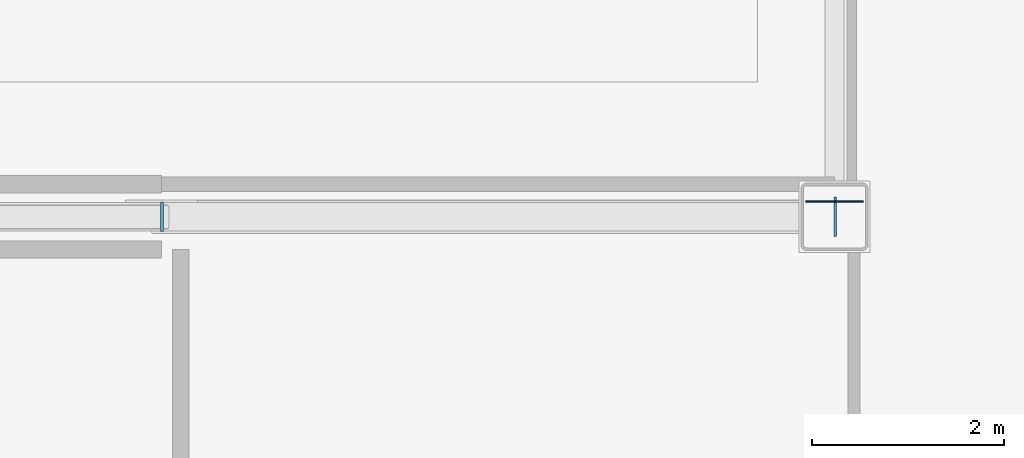
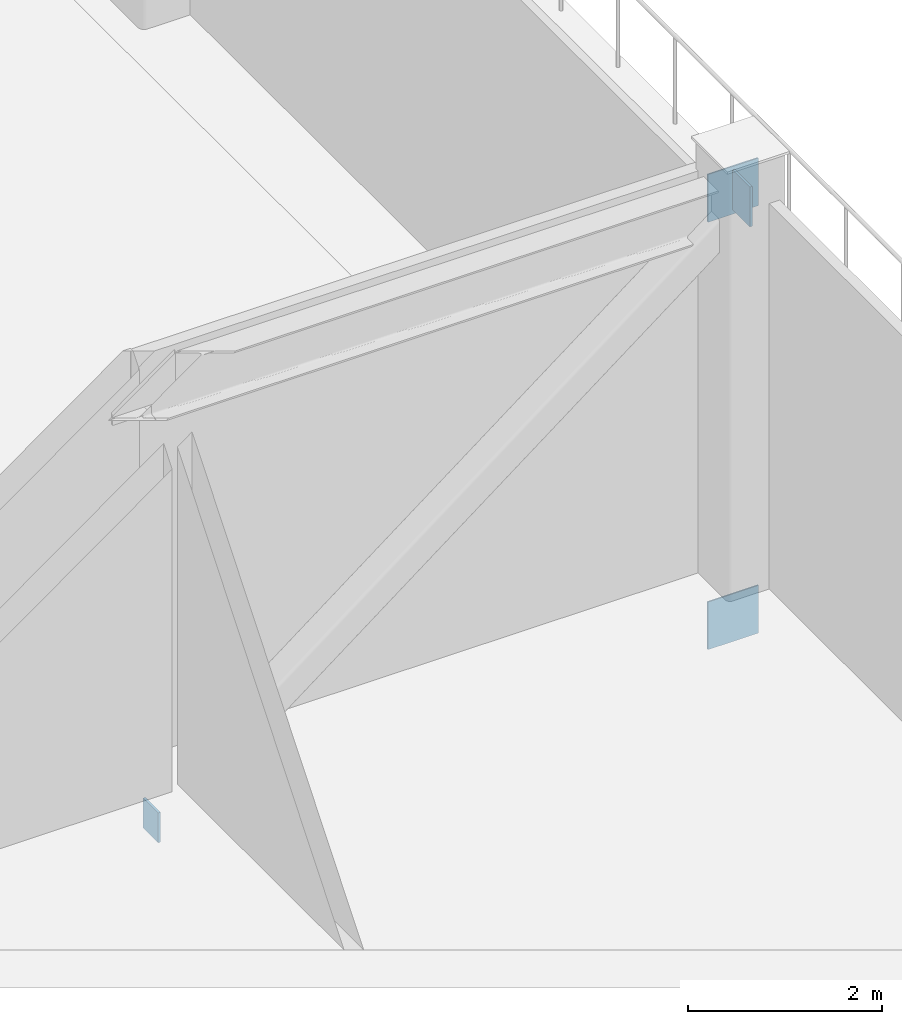
# One storey, part 93 of 135: 4 plates.
"""IFC4 building model written with IfcOpenShell, lengths in metres."""

from ifc_helpers import new_model, si_unit, direction, frame, origin, origin_2d, place, context, subcontext, project, spatial, rectangle, extrude, material, layer, layer_set, type_object, element, save


model = new_model("IFC4")

# Units and contexts
model_context = context("Model", 3, precision=1e-05, world=origin(), true_north=direction((0.0, 1.0)))
body_context = subcontext(model_context, "Body", "Model", "MODEL_VIEW")
ifc_project = project(units=[si_unit("LENGTHUNIT", "METRE"), si_unit("AREAUNIT", "SQUARE_METRE"), si_unit("VOLUMEUNIT", "CUBIC_METRE"), si_unit("PLANEANGLEUNIT", "RADIAN"), si_unit("MASSUNIT", "GRAM", prefix="KILO")], contexts=[model_context])

# Site, building, storey
site_placement = place(None, origin())
site = spatial("IfcSite", under=ifc_project, at=site_placement, CompositionType="ELEMENT")
building_placement = place(site_placement, origin())
building = spatial("IfcBuilding", under=site, at=building_placement, Name="Larkvane Passage Sports Hall", CompositionType="ELEMENT")
storey_placement = place(building_placement, frame((0.0, 0.0, 16.800048828125)))
storey = spatial("IfcBuildingStorey", under=building, at=storey_placement, Name="L03", CompositionType="ELEMENT", Elevation=16.800048828125)

# Plates
ifc_material_1 = material(Name="Steel S355JR", Category="steel")
ifc_layer_1 = layer(ifc_material_1, 0.011962890625)
ifc_layer_set_1 = layer_set([ifc_layer_1], Name="Steel S355JR")
plate_type_1 = type_object("IfcPlateType", Name="PLT-CAP-12", PredefinedType="SHEET", material=ifc_layer_set_1)
plate_1_placement = place(storey_placement, frame((27.8046875, 51.60009765625, -0.80517578125), z_axis=(0.0, 0.0, 1.0), x_axis=(0.0, 1.0, 0.0)))
element("IfcPlate", 1, at=plate_1_placement, inside=storey, type_object=plate_type_1, Name="Hollow section sealed end cap plate 0111", PredefinedType="SHEET", context=body_context, shape_type="SweptSolid", body=[
    extrude(rectangle(XDim=0.31005859375, YDim=0.028076171875, at=origin_2d()), origin(), (0.0, 0.0, 1.0), 0.375),
])
ifc_material_2 = material(Name="Steel S460N", Category="steel")
ifc_layer_2 = layer(ifc_material_2, 0.02001953125)
ifc_layer_set_2 = layer_set([ifc_layer_2], Name="Steel S460N")
plate_type_2 = type_object("IfcPlateType", Name="PLT-CAP-20", PredefinedType="SHEET", material=ifc_layer_set_2)
plate_2_placement = place(storey_placement, frame((34.807861328125, 51.60009765625, 4.511474609375), z_axis=(0.0, 0.0, 1.0), x_axis=(0.0, 1.0, 0.0)))
element("IfcPlate", 2, at=plate_2_placement, inside=storey, type_object=plate_type_2, Name="Hollow section sealed end cap plate 0112", PredefinedType="SHEET", context=body_context, shape_type="SweptSolid", body=[
    extrude(rectangle(XDim=0.409912109375, YDim=0.028076171875, at=origin_2d()), origin(), (0.0, 0.0, 1.0), 0.5009765625),
])
ifc_layer_3 = layer(ifc_material_2, 0.01611328125)
ifc_layer_set_3 = layer_set([ifc_layer_3], Name="Steel S460N")
plate_type_3 = type_object("IfcPlateType", Name="PLT-GUS-16", PredefinedType="USERDEFINED", material=ifc_layer_set_3)
for number, where, z_axis, x_axis, name in (
    (3, (34.800048828125, 51.758056640625, -0.9140625), (0.0, 0.0, 1.0), (1.0, 0.0, 0.0), "Truss node gusset plate ND-6B (CT-W3A-1)"),
    (4, (34.800048828125, 51.758056640625, 4.455810546875), (0.0, 0.0, 1.0), (1.0, 0.0, 0.0), "Truss node gusset plate ND-6T (CT-W3A-1)"),
):
    element("IfcPlate", number, at=place(storey_placement, frame(where, z_axis=z_axis, x_axis=x_axis)), inside=storey, type_object=plate_type_3, Name=name, ObjectType="GUSSET PLATE", PredefinedType="USERDEFINED", context=body_context, shape_type="SweptSolid", body=[
        extrude(rectangle(XDim=0.60009765625, YDim=0.01611328125, at=origin_2d()), origin(), (0.0, 0.0, 1.0), 0.60009765625),
    ])

save(model, "model.ifc")
